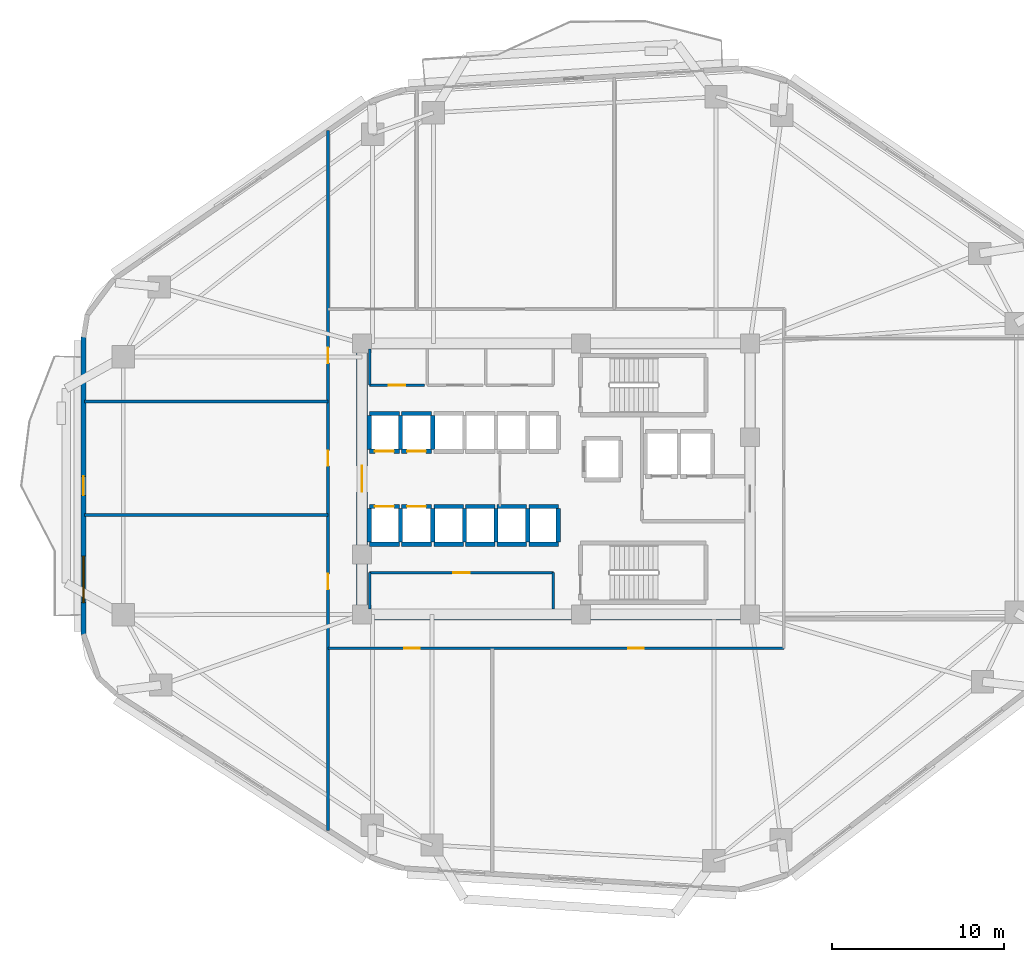
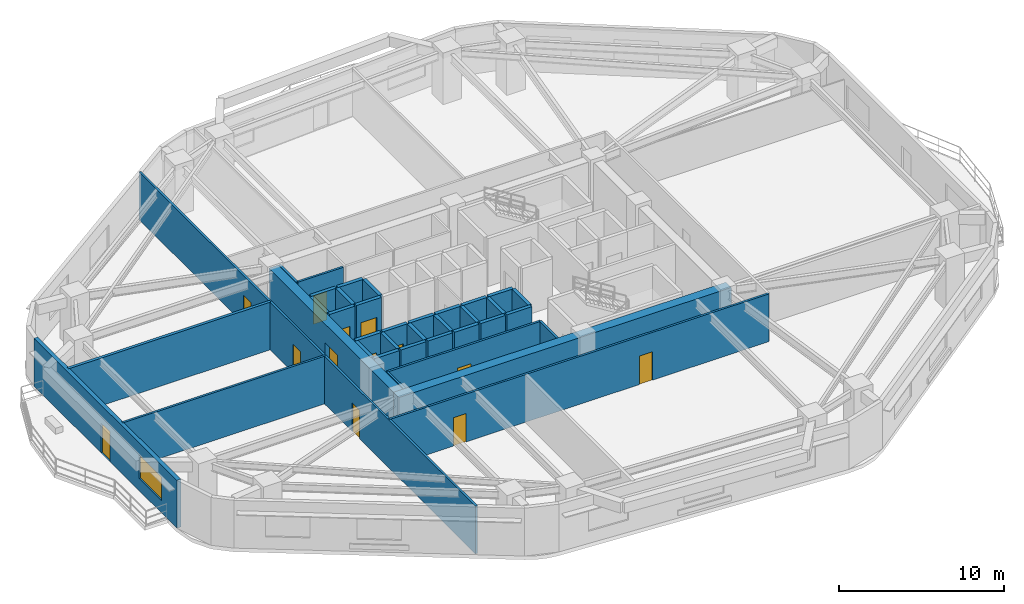
# One storey, part 3 of 9: 38 walls, 13 doors, 1 window, 14 openings.
"""IFC4 building model written with IfcOpenShell, lengths in metres."""

from ifc_helpers import new_model, si_unit, direction, frame, frame_2d, origin, place, context, subcontext, project, spatial, rectangle, extrude, material, layer, layer_set, type_object, element, fill, save


model = new_model("IFC4")

# Units and contexts
model_context = context("Model", 3, precision=1e-05, world=origin(), true_north=direction((0.0, 1.0)))
body_context = subcontext(model_context, "Body", "Model", "MODEL_VIEW")
ifc_project = project(units=[si_unit("LENGTHUNIT", "METRE"), si_unit("AREAUNIT", "SQUARE_METRE"), si_unit("VOLUMEUNIT", "CUBIC_METRE"), si_unit("PLANEANGLEUNIT", "RADIAN"), si_unit("MASSUNIT", "GRAM", prefix="KILO")], contexts=[model_context])

# Site, building, storey
site_placement = place(None, origin())
site = spatial("IfcSite", under=ifc_project, at=site_placement, CompositionType="ELEMENT")
building_placement = place(site_placement, origin())
building = spatial("IfcBuilding", under=site, at=building_placement, Name="Zulverin Broadcast Headquarters", CompositionType="ELEMENT")
storey_placement = place(building_placement, frame((0.0, 0.0, 82.0)))
storey = spatial("IfcBuildingStorey", under=building, at=storey_placement, Name="L20", CompositionType="ELEMENT", Elevation=82.0)

# Walls
ifc_material_1 = material(Name="Acoustic drywall steel stud", Category="steel")
ifc_layer_1 = layer(ifc_material_1, 0.199951171875, Name="Acoustic drywall steel stud", Category="steel")
ifc_layer_set_1 = layer_set([ifc_layer_1], Name="Acoustic drywall steel stud")
wall_type_1 = type_object("IfcWallType", Name="WL-ACOU-200", PredefinedType="PARTITIONING", material=ifc_layer_set_1)
wall_1_placement = place(storey_placement, frame((9.60498046875, 29.699951171875, 0.0), z_axis=(0.0, 0.0, 1.0), x_axis=(1.0, 0.0, 0.0)))
element("IfcWall", 1, at=wall_1_placement, inside=storey, type_object=wall_type_1, Name="L20 Room Partition Wall RP-09", PredefinedType="PARTITIONING", context=body_context, shape_type="SweptSolid", body=[
    extrude(rectangle(XDim=14.14501953125, YDim=0.199951171875, at=frame_2d((7.072509765625, 0.0))), origin(), (0.0, 0.0, 1.0), 3.52490234375),
])
ifc_material_2 = material(Name="Concrete C60/75", Category="concrete")
ifc_layer_2 = layer(ifc_material_2, 0.64990234375, Name="Concrete C60/75", Category="concrete")
ifc_layer_set_2 = layer_set([ifc_layer_2], Name="Concrete C60/75")
wall_type_2 = type_object("IfcWallType", Name="WL-CORE-650", PredefinedType="SHEAR", material=ifc_layer_set_2)
wall_2_placement = place(storey_placement, frame((25.39990234375, 17.324951171875, 0.0), z_axis=(0.0, 0.0, 1.0), x_axis=(1.0, 0.0, 0.0)))
element("IfcWall", 2, at=wall_2_placement, inside=storey, type_object=wall_type_2, Name="L20 Core South Shear Wall", PredefinedType="SHEAR", context=body_context, shape_type="SweptSolid", body=[
    extrude(rectangle(XDim=23.2001953125, YDim=0.64990234375, at=frame_2d((11.60009765625, 0.0))), origin(), (0.0, 0.0, 1.0), 3.52490234375),
])

# Wall, opening, door
wall_3_placement = place(storey_placement, frame((25.72509765625, 17.64990234375, 0.0), z_axis=(0.0, 0.0, 1.0), x_axis=(0.0, 1.0, 0.0)))
wall_3 = element("IfcWall", 3, at=wall_3_placement, inside=storey, type_object=wall_type_2, Name="L20 Core West Shear Wall", PredefinedType="SHEAR", context=body_context, shape_type="SweptSolid", body=[
    extrude(rectangle(XDim=15.10009765625, YDim=0.64990234375, at=frame_2d((7.550048828125, 0.0))), origin(), (0.0, 0.0, 1.0), 3.52490234375),
])
opening_1_placement = place(wall_3_placement, frame((6.800048828125, 0.0, 0.0)))
opening_1 = element("IfcOpeningElement", 4, at=opening_1_placement, cuts=wall_3, Name="Opening D-L20-CW1", PredefinedType="OPENING", context=body_context, shape_type="SweptSolid", body=[
    extrude(rectangle(XDim=1.5, YDim=2.14990234375, at=frame_2d((0.75, 1.074951171875))), frame((0.0, 0.3349609375, 0.0), z_axis=(0.0, -1.0, 0.0), x_axis=(1.0, 0.0, 0.0)), (0.0, 0.0, 1.0), 0.669921875),
])
ifc_material_3 = material(Name="Fire-rated glazed steel frame", Category="steel")
door_type_1 = type_object("IfcDoorType", Name="DR-COR-1500", OperationType="DOUBLE_DOOR_SINGLE_SWING", PredefinedType="DOOR", material=ifc_material_3)
door_1_placement = place(opening_1_placement, origin())
door_1 = element("IfcDoor", 5, at=door_1_placement, inside=storey, type_object=door_type_1, Name="L20 Central Lift Lobby West Portal Door", OperationType="DOUBLE_DOOR_SINGLE_SWING", OverallHeight=2.14990234375, OverallWidth=1.5, PredefinedType="DOOR", context=body_context, shape_type="SweptSolid", body=[
    extrude(rectangle(XDim=1.5, YDim=2.14990234375, at=frame_2d((0.75, 1.074951171875))), frame((0.0, 0.02490234375, 0.0), z_axis=(0.0, -1.0, 0.0), x_axis=(1.0, 0.0, 0.0)), (0.0, 0.0, 1.0), 0.050048828125),
])
fill(opening_1, door_1)

# Wall, openings, door, window
ifc_material_4 = material(Name="Insulated pale-metal clad concrete spandrel C40/50", Category="concrete")
ifc_layer_3 = layer(ifc_material_4, 0.280029296875, Name="Insulated pale-metal clad concrete spandrel C40/50", Category="concrete")
ifc_layer_set_3 = layer_set([ifc_layer_3], Name="Insulated pale-metal clad concrete spandrel C40/50")
wall_type_3 = type_object("IfcWallType", Name="WL-EXT-280", PredefinedType="STANDARD", material=ifc_layer_set_3)
wall_4_placement = place(storey_placement, frame((9.5400390625, 33.4443359375, 0.0), z_axis=(0.0, 0.0, 1.0), x_axis=(0.0, -1.0, 0.0)))
wall_4 = element("IfcWall", 6, at=wall_4_placement, inside=storey, type_object=wall_type_3, Name="L20 Pale-Metal Clad Spandrel Wall 7", PredefinedType="STANDARD", context=body_context, shape_type="SweptSolid", body=[
    extrude(rectangle(XDim=17.30078125, YDim=0.280029296875, at=frame_2d((8.650390625, 0.0))), origin(), (0.0, 0.0, 1.0), 3.52490234375),
])
opening_2_placement = place(wall_4_placement, frame((8.100341796875, 0.0, 0.0)))
opening_2 = element("IfcOpeningElement", 7, at=opening_2_placement, cuts=wall_4, Name="Opening D-L20-TR7", PredefinedType="OPENING", context=body_context, shape_type="SweptSolid", body=[
    extrude(rectangle(XDim=1.10009765625, YDim=2.199951171875, at=frame_2d((0.550048828125, 1.10009765625))), frame((0.0, 0.14990234375, 0.0), z_axis=(0.0, -1.0, 0.0), x_axis=(1.0, 0.0, 0.0)), (0.0, 0.0, 1.0), 0.300048828125),
])
opening_3_placement = place(wall_4_placement, frame((12.73388671875, 0.0, 0.89990234375)))
opening_3 = element("IfcOpeningElement", 8, at=opening_3_placement, cuts=wall_4, Name="Opening W-L20-E71", PredefinedType="OPENING", context=body_context, shape_type="SweptSolid", body=[
    extrude(rectangle(XDim=2.699951171875, YDim=1.75, at=frame_2d((1.35009765625, 0.875))), frame((0.0, 0.14990234375, 0.0), z_axis=(0.0, -1.0, 0.0), x_axis=(1.0, 0.0, 0.0)), (0.0, 0.0, 1.0), 0.300048828125),
])
ifc_material_5 = material(Name="Thermally broken aluminium glazed", Category="aluminium")
door_type_2 = type_object("IfcDoorType", Name="DR-TERR-1100", OperationType="SINGLE_SWING_RIGHT", PredefinedType="DOOR", material=ifc_material_5)
door_2_placement = place(opening_2_placement, origin())
door_2 = element("IfcDoor", 9, at=door_2_placement, inside=storey, type_object=door_type_2, Name="L20 Planted Terrace Glazed Access Door 7", OperationType="SINGLE_SWING_RIGHT", OverallHeight=2.199951171875, OverallWidth=1.10009765625, PredefinedType="DOOR", context=body_context, shape_type="SweptSolid", body=[
    extrude(rectangle(XDim=1.10009765625, YDim=2.199951171875, at=frame_2d((0.550048828125, 1.10009765625))), frame((0.0, 0.02490234375, 0.0), z_axis=(0.0, -1.0, 0.0), x_axis=(1.0, 0.0, 0.0)), (0.0, 0.0, 1.0), 0.050048828125),
])
fill(opening_2, door_2)
ifc_material_6 = material(Name="Pale anodized aluminium frame with solar-control low-E double glazing", Category="aluminium")
window_type = type_object("IfcWindowType", Name="WIN-TWR-2700", PartitioningType="SINGLE_PANEL", PredefinedType="WINDOW", material=ifc_material_6)
window_placement = place(opening_3_placement, origin())
window = element("IfcWindow", 10, at=window_placement, inside=storey, type_object=window_type, Name="L20 Ribbon Glazing Window 7 1", OverallHeight=1.75, OverallWidth=2.699951171875, PartitioningType="SINGLE_PANEL", PredefinedType="WINDOW", context=body_context, shape_type="SweptSolid", body=[
    extrude(rectangle(XDim=2.699951171875, YDim=1.75, at=frame_2d((1.35009765625, 0.875))), frame((0.0, 0.030029296875, 0.0), z_axis=(0.0, -1.0, 0.0), x_axis=(1.0, 0.0, 0.0)), (0.0, 0.0, 1.0), 0.06005859375),
])
fill(opening_3, window)

# Wall, opening, door
ifc_material_7 = material(Name="Fire-rated gypsum stud partition", Category="gypsum")
ifc_layer_4 = layer(ifc_material_7, 0.14990234375, Name="Fire-rated gypsum stud partition", Category="gypsum")
ifc_layer_set_4 = layer_set([ifc_layer_4], Name="Fire-rated gypsum stud partition")
wall_type_4 = type_object("IfcWallType", Name="WL-PART-150", PredefinedType="PARTITIONING", material=ifc_layer_set_4)
wall_5_placement = place(storey_placement, frame((26.169921875, 30.64990234375, 0.0), z_axis=(0.0, 0.0, 1.0), x_axis=(1.0, 0.0, 0.0)))
wall_5 = element("IfcWall", 11, at=wall_5_placement, inside=storey, type_object=wall_type_4, Name="L20 Core Accessible WC Front Wall", PredefinedType="PARTITIONING", context=body_context, shape_type="SweptSolid", body=[
    extrude(rectangle(XDim=3.2001953125, YDim=0.14990234375, at=frame_2d((1.60009765625, 0.0))), origin(), (0.0, 0.0, 1.0), 3.52490234375),
])
opening_4_placement = place(wall_5_placement, frame((1.125, 0.0, 0.0)))
opening_4 = element("IfcOpeningElement", 12, at=opening_4_placement, cuts=wall_5, Name="Opening D-L20-NC1", PredefinedType="OPENING", context=body_context, shape_type="SweptSolid", body=[
    extrude(rectangle(XDim=0.949951171875, YDim=2.10009765625, at=frame_2d((0.47509765625, 1.050048828125))), frame((0.0, 0.0849609375, 0.0), z_axis=(0.0, -1.0, 0.0), x_axis=(1.0, 0.0, 0.0)), (0.0, 0.0, 1.0), 0.169921875),
])
ifc_material_8 = material(Name="Fire-rated moisture-resistant laminate leaf", Category="wood")
door_type_3 = type_object("IfcDoorType", Name="DR-WC-950", OperationType="SINGLE_SWING_LEFT", PredefinedType="DOOR", material=ifc_material_8)
door_3_placement = place(opening_4_placement, origin())
door_3 = element("IfcDoor", 13, at=door_3_placement, inside=storey, type_object=door_type_3, Name="L20 Accessible WC Door", OperationType="SINGLE_SWING_LEFT", OverallHeight=2.10009765625, OverallWidth=0.949951171875, PredefinedType="DOOR", context=body_context, shape_type="SweptSolid", body=[
    extrude(rectangle(XDim=0.949951171875, YDim=2.10009765625, at=frame_2d((0.47509765625, 1.050048828125))), frame((0.0, 0.02490234375, 0.0), z_axis=(0.0, -1.0, 0.0), x_axis=(1.0, 0.0, 0.0)), (0.0, 0.0, 1.0), 0.050048828125),
])
fill(opening_4, door_3)

# Wall
wall_6_placement = place(storey_placement, frame((26.169921875, 30.64990234375, 0.0), z_axis=(0.0, 0.0, 1.0), x_axis=(0.0, 1.0, 0.0)))
element("IfcWall", 14, at=wall_6_placement, inside=storey, type_object=wall_type_4, Name="L20 Core Accessible WC West Wall", PredefinedType="PARTITIONING", context=body_context, shape_type="SweptSolid", body=[
    extrude(rectangle(XDim=2.10009765625, YDim=0.14990234375, at=frame_2d((1.050048828125, 0.0))), origin(), (0.0, 0.0, 1.0), 3.52490234375),
])

# Wall, opening, door
wall_7_placement = place(storey_placement, frame((26.169921875, 19.75, 0.0), z_axis=(0.0, 0.0, 1.0), x_axis=(1.0, 0.0, 0.0)))
wall_7 = element("IfcWall", 15, at=wall_7_placement, inside=storey, type_object=wall_type_4, Name="L20 Core Female WC & Facilities Room Front Wall", PredefinedType="PARTITIONING", context=body_context, shape_type="SweptSolid", body=[
    extrude(rectangle(XDim=10.68017578125, YDim=0.14990234375, at=frame_2d((5.340087890625, 0.0))), origin(), (0.0, 0.0, 1.0), 3.52490234375),
])
opening_5_placement = place(wall_7_placement, frame((4.864990234375, 0.0, 0.0)))
opening_5 = element("IfcOpeningElement", 16, at=opening_5_placement, cuts=wall_7, Name="Opening D-L20-SC1", PredefinedType="OPENING", context=body_context, shape_type="SweptSolid", body=[
    extrude(rectangle(XDim=0.949951171875, YDim=2.10009765625, at=frame_2d((0.47509765625, 1.050048828125))), frame((0.0, 0.0849609375, 0.0), z_axis=(0.0, -1.0, 0.0), x_axis=(1.0, 0.0, 0.0)), (0.0, 0.0, 1.0), 0.169921875),
])
door_4_placement = place(opening_5_placement, origin())
door_4 = element("IfcDoor", 17, at=door_4_placement, inside=storey, type_object=door_type_3, Name="L20 Female WC & Facilities Room Door", OperationType="SINGLE_SWING_RIGHT", OverallHeight=2.10009765625, OverallWidth=0.949951171875, PredefinedType="DOOR", context=body_context, shape_type="SweptSolid", body=[
    extrude(rectangle(XDim=0.949951171875, YDim=2.10009765625, at=frame_2d((0.47509765625, 1.050048828125))), frame((0.0, 0.02490234375, 0.0), z_axis=(0.0, -1.0, 0.0), x_axis=(1.0, 0.0, 0.0)), (0.0, 0.0, 1.0), 0.050048828125),
])
fill(opening_5, door_4)

# Walls
for number, where, z_axis, x_axis, name in (
    (18, (26.169921875, 17.64990234375, 0.0), (0.0, 0.0, 1.0), (0.0, 1.0, 0.0), "L20 Core Female WC & Facilities Room West Wall"),
    (19, (36.85009765625, 17.64990234375, 0.0), (0.0, 0.0, 1.0), (0.0, 1.0, 0.0), "L20 Core Female WC & Facilities Room East Wall"),
):
    element("IfcWall", number, at=place(storey_placement, frame(where, z_axis=z_axis, x_axis=x_axis)), inside=storey, type_object=wall_type_4, Name=name, PredefinedType="PARTITIONING", context=body_context, shape_type="SweptSolid", body=[
        extrude(rectangle(XDim=2.10009765625, YDim=0.14990234375, at=frame_2d((1.050048828125, 0.0))), origin(), (0.0, 0.0, 1.0), 3.52490234375),
    ])

# Wall, openings, doors
wall_8_placement = place(storey_placement, frame((23.75, 4.769287109375, 0.0), z_axis=(0.0, 0.0, 1.0), x_axis=(0.0, 1.0, 0.0)))
wall_8 = element("IfcWall", 20, at=wall_8_placement, inside=storey, type_object=wall_type_4, Name="L20 Gallery Partition Wall CG-05", PredefinedType="PARTITIONING", context=body_context, shape_type="SweptSolid", body=[
    extrude(rectangle(XDim=40.69091796875, YDim=0.14990234375, at=frame_2d((20.345458984375, 0.0))), origin(), (0.0, 0.0, 1.0), 3.52490234375),
])
opening_6_placement = place(wall_8_placement, frame((14.005615234375, 0.0, 0.0)))
opening_6 = element("IfcOpeningElement", 21, at=opening_6_placement, cuts=wall_8, Name="Opening D-L20-06", PredefinedType="OPENING", context=body_context, shape_type="SweptSolid", body=[
    extrude(rectangle(XDim=0.89990234375, YDim=2.10009765625, at=frame_2d((0.449951171875, 1.050048828125))), frame((0.0, 0.0849609375, 0.0), z_axis=(0.0, -1.0, 0.0), x_axis=(1.0, 0.0, 0.0)), (0.0, 0.0, 1.0), 0.169921875),
])
opening_7_placement = place(wall_8_placement, frame((21.1806640625, 0.0, 0.0)))
opening_7 = element("IfcOpeningElement", 22, at=opening_7_placement, cuts=wall_8, Name="Opening D-L20-07", PredefinedType="OPENING", context=body_context, shape_type="SweptSolid", body=[
    extrude(rectangle(XDim=0.89990234375, YDim=2.10009765625, at=frame_2d((0.449951171875, 1.050048828125))), frame((0.0, 0.0849609375, 0.0), z_axis=(0.0, -1.0, 0.0), x_axis=(1.0, 0.0, 0.0)), (0.0, 0.0, 1.0), 0.169921875),
])
opening_8_placement = place(wall_8_placement, frame((27.155517578125, 0.0, 0.0)))
opening_8 = element("IfcOpeningElement", 23, at=opening_8_placement, cuts=wall_8, Name="Opening D-L20-08", PredefinedType="OPENING", context=body_context, shape_type="SweptSolid", body=[
    extrude(rectangle(XDim=0.89990234375, YDim=2.10009765625, at=frame_2d((0.449951171875, 1.050048828125))), frame((0.0, 0.0849609375, 0.0), z_axis=(0.0, -1.0, 0.0), x_axis=(1.0, 0.0, 0.0)), (0.0, 0.0, 1.0), 0.169921875),
])
ifc_material_9 = material(Name="Fire-rated hardwood veneer timber leaf", Category="wood")
door_type_4 = type_object("IfcDoorType", Name="DR-ROOM-900", OperationType="SINGLE_SWING_RIGHT", PredefinedType="DOOR", material=ifc_material_9)
door_5_placement = place(opening_6_placement, origin())
door_5 = element("IfcDoor", 24, at=door_5_placement, inside=storey, type_object=door_type_4, Name="L20 Reference Library Door", OperationType="SINGLE_SWING_LEFT", OverallHeight=2.10009765625, OverallWidth=0.89990234375, PredefinedType="DOOR", context=body_context, shape_type="SweptSolid", body=[
    extrude(rectangle(XDim=0.89990234375, YDim=2.10009765625, at=frame_2d((0.449951171875, 1.050048828125))), frame((0.0, 0.02490234375, 0.0), z_axis=(0.0, -1.0, 0.0), x_axis=(1.0, 0.0, 0.0)), (0.0, 0.0, 1.0), 0.050048828125),
])
fill(opening_6, door_5)
door_6_placement = place(opening_7_placement, origin())
door_6 = element("IfcDoor", 25, at=door_6_placement, inside=storey, type_object=door_type_4, Name="L20 Staff Bistro Door", OperationType="SINGLE_SWING_RIGHT", OverallHeight=2.10009765625, OverallWidth=0.89990234375, PredefinedType="DOOR", context=body_context, shape_type="SweptSolid", body=[
    extrude(rectangle(XDim=0.89990234375, YDim=2.10009765625, at=frame_2d((0.449951171875, 1.050048828125))), frame((0.0, 0.02490234375, 0.0), z_axis=(0.0, -1.0, 0.0), x_axis=(1.0, 0.0, 0.0)), (0.0, 0.0, 1.0), 0.050048828125),
])
fill(opening_7, door_6)
door_7_placement = place(opening_8_placement, origin())
door_7 = element("IfcDoor", 26, at=door_7_placement, inside=storey, type_object=door_type_4, Name="L20 Tea Servery Door", OperationType="SINGLE_SWING_LEFT", OverallHeight=2.10009765625, OverallWidth=0.89990234375, PredefinedType="DOOR", context=body_context, shape_type="SweptSolid", body=[
    extrude(rectangle(XDim=0.89990234375, YDim=2.10009765625, at=frame_2d((0.449951171875, 1.050048828125))), frame((0.0, 0.02490234375, 0.0), z_axis=(0.0, -1.0, 0.0), x_axis=(1.0, 0.0, 0.0)), (0.0, 0.0, 1.0), 0.050048828125),
])
fill(opening_8, door_7)

wall_9_placement = place(storey_placement, frame((23.75, 15.35009765625, 0.0), z_axis=(0.0, 0.0, 1.0), x_axis=(1.0, 0.0, 0.0)))
wall_9 = element("IfcWall", 27, at=wall_9_placement, inside=storey, type_object=wall_type_4, Name="L20 Gallery Partition Wall CG-06", PredefinedType="PARTITIONING", context=body_context, shape_type="SweptSolid", body=[
    extrude(rectangle(XDim=26.5, YDim=0.14990234375, at=frame_2d((13.25, 0.0))), origin(), (0.0, 0.0, 1.0), 3.52490234375),
])
opening_9_placement = place(wall_9_placement, frame((4.445068359375, 0.0, 0.0)))
opening_9 = element("IfcOpeningElement", 28, at=opening_9_placement, cuts=wall_9, Name="Opening D-L20-04", PredefinedType="OPENING", context=body_context, shape_type="SweptSolid", body=[
    extrude(rectangle(XDim=0.89990234375, YDim=2.10009765625, at=frame_2d((0.449951171875, 1.050048828125))), frame((0.0, 0.0849609375, 0.0), z_axis=(0.0, -1.0, 0.0), x_axis=(1.0, 0.0, 0.0)), (0.0, 0.0, 1.0), 0.169921875),
])
opening_10_placement = place(wall_9_placement, frame((17.455078125, 0.0, 0.0)))
opening_10 = element("IfcOpeningElement", 29, at=opening_10_placement, cuts=wall_9, Name="Opening D-L20-05", PredefinedType="OPENING", context=body_context, shape_type="SweptSolid", body=[
    extrude(rectangle(XDim=0.89990234375, YDim=2.10009765625, at=frame_2d((0.449951171875, 1.050048828125))), frame((0.0, 0.0849609375, 0.0), z_axis=(0.0, -1.0, 0.0), x_axis=(1.0, 0.0, 0.0)), (0.0, 0.0, 1.0), 0.169921875),
])
door_8_placement = place(opening_9_placement, origin())
door_8 = element("IfcDoor", 30, at=door_8_placement, inside=storey, type_object=door_type_4, Name="L20 Media Screening Suite Door", OperationType="SINGLE_SWING_LEFT", OverallHeight=2.10009765625, OverallWidth=0.89990234375, PredefinedType="DOOR", context=body_context, shape_type="SweptSolid", body=[
    extrude(rectangle(XDim=0.89990234375, YDim=2.10009765625, at=frame_2d((0.449951171875, 1.050048828125))), frame((0.0, 0.02490234375, 0.0), z_axis=(0.0, -1.0, 0.0), x_axis=(1.0, 0.0, 0.0)), (0.0, 0.0, 1.0), 0.050048828125),
])
fill(opening_9, door_8)
door_9_placement = place(opening_10_placement, origin())
door_9 = element("IfcDoor", 31, at=door_9_placement, inside=storey, type_object=door_type_4, Name="L20 Media Reading Library Door", OperationType="SINGLE_SWING_RIGHT", OverallHeight=2.10009765625, OverallWidth=0.89990234375, PredefinedType="DOOR", context=body_context, shape_type="SweptSolid", body=[
    extrude(rectangle(XDim=0.89990234375, YDim=2.10009765625, at=frame_2d((0.449951171875, 1.050048828125))), frame((0.0, 0.02490234375, 0.0), z_axis=(0.0, -1.0, 0.0), x_axis=(1.0, 0.0, 0.0)), (0.0, 0.0, 1.0), 0.050048828125),
])
fill(opening_10, door_9)

# Wall
wall_10_placement = place(storey_placement, frame((9.60498046875, 23.10009765625, 0.0), z_axis=(0.0, 0.0, 1.0), x_axis=(1.0, 0.0, 0.0)))
element("IfcWall", 32, at=wall_10_placement, inside=storey, type_object=wall_type_4, Name="L20 Room Partition Wall RP-08", PredefinedType="PARTITIONING", context=body_context, shape_type="SweptSolid", body=[
    extrude(rectangle(XDim=14.14404296875, YDim=0.14990234375, at=frame_2d((7.072021484375, 0.0))), origin(), (0.0, 0.0, 1.0), 3.52490234375),
])

# Wall, opening, door
ifc_material_10 = material(Name="Concrete C50/60", Category="concrete")
ifc_layer_5 = layer(ifc_material_10, 0.25, Name="Concrete C50/60", Category="concrete")
ifc_layer_set_5 = layer_set([ifc_layer_5], Name="Concrete C50/60")
wall_type_5 = type_object("IfcWallType", Name="WL-SHAFT-250", PredefinedType="SHEAR", material=ifc_layer_set_5)
wall_11_placement = place(storey_placement, frame((26.14990234375, 26.800048828125, 0.0), z_axis=(0.0, 0.0, 1.0), x_axis=(1.0, 0.0, 0.0)))
wall_11 = element("IfcWall", 33, at=wall_11_placement, inside=storey, type_object=wall_type_5, Name="L20 Lift PL-L1 Shaft Wall S", PredefinedType="SHEAR", context=body_context, shape_type="SweptSolid", body=[
    extrude(rectangle(XDim=1.75, YDim=0.25, at=frame_2d((0.875, 0.0))), origin(), (0.0, 0.0, 1.0), 3.52490234375),
])
opening_11_placement = place(wall_11_placement, frame((0.324951171875, 0.0, 0.0)))
opening_11 = element("IfcOpeningElement", 34, at=opening_11_placement, cuts=wall_11, Name="Opening LD-PL-L1-L20", PredefinedType="OPENING", context=body_context, shape_type="SweptSolid", body=[
    extrude(rectangle(XDim=1.10009765625, YDim=2.14990234375, at=frame_2d((0.550048828125, 1.074951171875))), frame((0.0, 0.135009765625, 0.0), z_axis=(0.0, -1.0, 0.0), x_axis=(1.0, 0.0, 0.0)), (0.0, 0.0, 1.0), 0.27001953125),
])
ifc_material_11 = material(Name="Brushed stainless steel landing", Category="steel")
door_type_5 = type_object("IfcDoorType", Name="LD-PASS-1100", OperationType="DOUBLE_DOOR_SLIDING", PredefinedType="DOOR", material=ifc_material_11)
door_10_placement = place(opening_11_placement, origin())
door_10 = element("IfcDoor", 35, at=door_10_placement, inside=storey, type_object=door_type_5, Name="L20 Lift PL-L1 Sliding Landing Door", OperationType="DOUBLE_DOOR_SLIDING", OverallHeight=2.14990234375, OverallWidth=1.10009765625, PredefinedType="DOOR", context=body_context, shape_type="SweptSolid", body=[
    extrude(rectangle(XDim=1.10009765625, YDim=2.14990234375, at=frame_2d((0.550048828125, 1.074951171875))), frame((0.0, 0.02490234375, 0.0), z_axis=(0.0, -1.0, 0.0), x_axis=(1.0, 0.0, 0.0)), (0.0, 0.0, 1.0), 0.050048828125),
])
fill(opening_11, door_10)

# Walls
wall_12_placement = place(storey_placement, frame((26.14990234375, 29.0, 0.0), z_axis=(0.0, 0.0, 1.0), x_axis=(1.0, 0.0, 0.0)))
element("IfcWall", 36, at=wall_12_placement, inside=storey, type_object=wall_type_5, Name="L20 Lift PL-L1 Shaft Wall N", PredefinedType="SHEAR", context=body_context, shape_type="SweptSolid", body=[
    extrude(rectangle(XDim=1.75, YDim=0.25, at=frame_2d((0.875, 0.0))), origin(), (0.0, 0.0, 1.0), 3.52490234375),
])
for number, where, z_axis, x_axis, name in (
    (37, (26.14990234375, 26.919921875, 0.0), (0.0, 0.0, 1.0), (0.0, 1.0, 0.0), "L20 Lift PL-L1 Shaft Wall W"),
    (38, (27.9599609375, 26.919921875, 0.0), (0.0, 0.0, 1.0), (0.0, 1.0, 0.0), "L20 Lift PL-L1 Shaft Wall E"),
):
    element("IfcWall", number, at=place(storey_placement, frame(where, z_axis=z_axis, x_axis=x_axis)), inside=storey, type_object=wall_type_5, Name=name, PredefinedType="SHEAR", context=body_context, shape_type="SweptSolid", body=[
        extrude(rectangle(XDim=1.9599609375, YDim=0.25, at=frame_2d((0.97998046875, 0.0))), origin(), (0.0, 0.0, 1.0), 3.52490234375),
    ])

# Wall, opening, door
wall_13_placement = place(storey_placement, frame((28.02001953125, 26.800048828125, 0.0), z_axis=(0.0, 0.0, 1.0), x_axis=(1.0, 0.0, 0.0)))
wall_13 = element("IfcWall", 39, at=wall_13_placement, inside=storey, type_object=wall_type_5, Name="L20 Lift PL-L2 Shaft Wall S", PredefinedType="SHEAR", context=body_context, shape_type="SweptSolid", body=[
    extrude(rectangle(XDim=1.75, YDim=0.25, at=frame_2d((0.875, 0.0))), origin(), (0.0, 0.0, 1.0), 3.52490234375),
])
opening_12_placement = place(wall_13_placement, frame((0.324951171875, 0.0, 0.0)))
opening_12 = element("IfcOpeningElement", 40, at=opening_12_placement, cuts=wall_13, Name="Opening LD-PL-L2-L20", PredefinedType="OPENING", context=body_context, shape_type="SweptSolid", body=[
    extrude(rectangle(XDim=1.10009765625, YDim=2.14990234375, at=frame_2d((0.550048828125, 1.074951171875))), frame((0.0, 0.135009765625, 0.0), z_axis=(0.0, -1.0, 0.0), x_axis=(1.0, 0.0, 0.0)), (0.0, 0.0, 1.0), 0.27001953125),
])
door_11_placement = place(opening_12_placement, origin())
door_11 = element("IfcDoor", 41, at=door_11_placement, inside=storey, type_object=door_type_5, Name="L20 Lift PL-L2 Sliding Landing Door", OperationType="DOUBLE_DOOR_SLIDING", OverallHeight=2.14990234375, OverallWidth=1.10009765625, PredefinedType="DOOR", context=body_context, shape_type="SweptSolid", body=[
    extrude(rectangle(XDim=1.10009765625, YDim=2.14990234375, at=frame_2d((0.550048828125, 1.074951171875))), frame((0.0, 0.02490234375, 0.0), z_axis=(0.0, -1.0, 0.0), x_axis=(1.0, 0.0, 0.0)), (0.0, 0.0, 1.0), 0.050048828125),
])
fill(opening_12, door_11)

# Walls
wall_14_placement = place(storey_placement, frame((28.02001953125, 29.0, 0.0), z_axis=(0.0, 0.0, 1.0), x_axis=(1.0, 0.0, 0.0)))
element("IfcWall", 42, at=wall_14_placement, inside=storey, type_object=wall_type_5, Name="L20 Lift PL-L2 Shaft Wall N", PredefinedType="SHEAR", context=body_context, shape_type="SweptSolid", body=[
    extrude(rectangle(XDim=1.75, YDim=0.25, at=frame_2d((0.875, 0.0))), origin(), (0.0, 0.0, 1.0), 3.52490234375),
])
wall_15_placement = place(storey_placement, frame((29.8349609375, 26.919921875, 0.0), z_axis=(0.0, 0.0, 1.0), x_axis=(0.0, 1.0, 0.0)))
element("IfcWall", 43, at=wall_15_placement, inside=storey, type_object=wall_type_5, Name="L20 Lift PL-L2 Shaft Wall E", PredefinedType="SHEAR", context=body_context, shape_type="SweptSolid", body=[
    extrude(rectangle(XDim=1.9599609375, YDim=0.25, at=frame_2d((0.97998046875, 0.0))), origin(), (0.0, 0.0, 1.0), 3.52490234375),
])
wall_16_placement = place(storey_placement, frame((26.14990234375, 21.39990234375, 0.0), z_axis=(0.0, 0.0, 1.0), x_axis=(1.0, 0.0, 0.0)))
element("IfcWall", 44, at=wall_16_placement, inside=storey, type_object=wall_type_5, Name="L20 Lift PL-L3 Shaft Wall S", PredefinedType="SHEAR", context=body_context, shape_type="SweptSolid", body=[
    extrude(rectangle(XDim=1.75, YDim=0.25, at=frame_2d((0.875, 0.0))), origin(), (0.0, 0.0, 1.0), 3.52490234375),
])

# Wall, opening, door
wall_17_placement = place(storey_placement, frame((26.14990234375, 23.60009765625, 0.0), z_axis=(0.0, 0.0, 1.0), x_axis=(1.0, 0.0, 0.0)))
wall_17 = element("IfcWall", 45, at=wall_17_placement, inside=storey, type_object=wall_type_5, Name="L20 Lift PL-L3 Shaft Wall N", PredefinedType="SHEAR", context=body_context, shape_type="SweptSolid", body=[
    extrude(rectangle(XDim=1.75, YDim=0.25, at=frame_2d((0.875, 0.0))), origin(), (0.0, 0.0, 1.0), 3.52490234375),
])
opening_13_placement = place(wall_17_placement, frame((0.324951171875, 0.0, 0.0)))
opening_13 = element("IfcOpeningElement", 46, at=opening_13_placement, cuts=wall_17, Name="Opening LD-PL-L3-L20", PredefinedType="OPENING", context=body_context, shape_type="SweptSolid", body=[
    extrude(rectangle(XDim=1.10009765625, YDim=2.14990234375, at=frame_2d((0.550048828125, 1.074951171875))), frame((0.0, 0.135009765625, 0.0), z_axis=(0.0, -1.0, 0.0), x_axis=(1.0, 0.0, 0.0)), (0.0, 0.0, 1.0), 0.27001953125),
])
door_12_placement = place(opening_13_placement, origin())
door_12 = element("IfcDoor", 47, at=door_12_placement, inside=storey, type_object=door_type_5, Name="L20 Lift PL-L3 Sliding Landing Door", OperationType="DOUBLE_DOOR_SLIDING", OverallHeight=2.14990234375, OverallWidth=1.10009765625, PredefinedType="DOOR", context=body_context, shape_type="SweptSolid", body=[
    extrude(rectangle(XDim=1.10009765625, YDim=2.14990234375, at=frame_2d((0.550048828125, 1.074951171875))), frame((0.0, 0.02490234375, 0.0), z_axis=(0.0, -1.0, 0.0), x_axis=(1.0, 0.0, 0.0)), (0.0, 0.0, 1.0), 0.050048828125),
])
fill(opening_13, door_12)

# Walls
for number, where, z_axis, x_axis, name in (
    (48, (26.14990234375, 21.52001953125, 0.0), (0.0, 0.0, 1.0), (0.0, 1.0, 0.0), "L20 Lift PL-L3 Shaft Wall W"),
    (49, (27.9599609375, 21.52001953125, 0.0), (0.0, 0.0, 1.0), (0.0, 1.0, 0.0), "L20 Lift PL-L3 Shaft Wall E"),
):
    element("IfcWall", number, at=place(storey_placement, frame(where, z_axis=z_axis, x_axis=x_axis)), inside=storey, type_object=wall_type_5, Name=name, PredefinedType="SHEAR", context=body_context, shape_type="SweptSolid", body=[
        extrude(rectangle(XDim=1.9599609375, YDim=0.25, at=frame_2d((0.97998046875, 0.0))), origin(), (0.0, 0.0, 1.0), 3.52490234375),
    ])
wall_18_placement = place(storey_placement, frame((28.02001953125, 21.39990234375, 0.0), z_axis=(0.0, 0.0, 1.0), x_axis=(1.0, 0.0, 0.0)))
element("IfcWall", 50, at=wall_18_placement, inside=storey, type_object=wall_type_5, Name="L20 Lift PL-L4 Shaft Wall S", PredefinedType="SHEAR", context=body_context, shape_type="SweptSolid", body=[
    extrude(rectangle(XDim=1.75, YDim=0.25, at=frame_2d((0.875, 0.0))), origin(), (0.0, 0.0, 1.0), 3.52490234375),
])

# Wall, opening, door
wall_19_placement = place(storey_placement, frame((28.02001953125, 23.60009765625, 0.0), z_axis=(0.0, 0.0, 1.0), x_axis=(1.0, 0.0, 0.0)))
wall_19 = element("IfcWall", 51, at=wall_19_placement, inside=storey, type_object=wall_type_5, Name="L20 Lift PL-L4 Shaft Wall N", PredefinedType="SHEAR", context=body_context, shape_type="SweptSolid", body=[
    extrude(rectangle(XDim=1.75, YDim=0.25, at=frame_2d((0.875, 0.0))), origin(), (0.0, 0.0, 1.0), 3.52490234375),
])
opening_14_placement = place(wall_19_placement, frame((0.324951171875, 0.0, 0.0)))
opening_14 = element("IfcOpeningElement", 52, at=opening_14_placement, cuts=wall_19, Name="Opening LD-PL-L4-L20", PredefinedType="OPENING", context=body_context, shape_type="SweptSolid", body=[
    extrude(rectangle(XDim=1.10009765625, YDim=2.14990234375, at=frame_2d((0.550048828125, 1.074951171875))), frame((0.0, 0.135009765625, 0.0), z_axis=(0.0, -1.0, 0.0), x_axis=(1.0, 0.0, 0.0)), (0.0, 0.0, 1.0), 0.27001953125),
])
door_13_placement = place(opening_14_placement, origin())
door_13 = element("IfcDoor", 53, at=door_13_placement, inside=storey, type_object=door_type_5, Name="L20 Lift PL-L4 Sliding Landing Door", OperationType="DOUBLE_DOOR_SLIDING", OverallHeight=2.14990234375, OverallWidth=1.10009765625, PredefinedType="DOOR", context=body_context, shape_type="SweptSolid", body=[
    extrude(rectangle(XDim=1.10009765625, YDim=2.14990234375, at=frame_2d((0.550048828125, 1.074951171875))), frame((0.0, 0.02490234375, 0.0), z_axis=(0.0, -1.0, 0.0), x_axis=(1.0, 0.0, 0.0)), (0.0, 0.0, 1.0), 0.050048828125),
])
fill(opening_14, door_13)

# Walls
wall_20_placement = place(storey_placement, frame((29.8349609375, 21.52001953125, 0.0), z_axis=(0.0, 0.0, 1.0), x_axis=(0.0, 1.0, 0.0)))
element("IfcWall", 54, at=wall_20_placement, inside=storey, type_object=wall_type_5, Name="L20 Lift PL-L4 Shaft Wall E", PredefinedType="SHEAR", context=body_context, shape_type="SweptSolid", body=[
    extrude(rectangle(XDim=1.9599609375, YDim=0.25, at=frame_2d((0.97998046875, 0.0))), origin(), (0.0, 0.0, 1.0), 3.52490234375),
])
for number, where, z_axis, x_axis, name in (
    (55, (29.89990234375, 21.39990234375, 0.0), (0.0, 0.0, 1.0), (1.0, 0.0, 0.0), "L20 Lift PL-M1 Shaft Wall S"),
    (56, (29.89990234375, 23.60009765625, 0.0), (0.0, 0.0, 1.0), (1.0, 0.0, 0.0), "L20 Lift PL-M1 Shaft Wall N"),
):
    element("IfcWall", number, at=place(storey_placement, frame(where, z_axis=z_axis, x_axis=x_axis)), inside=storey, type_object=wall_type_5, Name=name, PredefinedType="SHEAR", context=body_context, shape_type="SweptSolid", body=[
        extrude(rectangle(XDim=1.72021484375, YDim=0.25, at=frame_2d((0.860107421875, 0.0))), origin(), (0.0, 0.0, 1.0), 3.52490234375),
    ])
wall_21_placement = place(storey_placement, frame((31.679931640625, 21.52001953125, 0.0), z_axis=(0.0, 0.0, 1.0), x_axis=(0.0, 1.0, 0.0)))
element("IfcWall", 57, at=wall_21_placement, inside=storey, type_object=wall_type_5, Name="L20 Lift PL-M1 Shaft Wall E", PredefinedType="SHEAR", context=body_context, shape_type="SweptSolid", body=[
    extrude(rectangle(XDim=1.9599609375, YDim=0.25, at=frame_2d((0.97998046875, 0.0))), origin(), (0.0, 0.0, 1.0), 3.52490234375),
])
for number, where, z_axis, x_axis, name in (
    (58, (31.739990234375, 21.39990234375, 0.0), (0.0, 0.0, 1.0), (1.0, 0.0, 0.0), "L20 Lift PL-M2 Shaft Wall S"),
    (59, (31.739990234375, 23.60009765625, 0.0), (0.0, 0.0, 1.0), (1.0, 0.0, 0.0), "L20 Lift PL-M2 Shaft Wall N"),
):
    element("IfcWall", number, at=place(storey_placement, frame(where, z_axis=z_axis, x_axis=x_axis)), inside=storey, type_object=wall_type_5, Name=name, PredefinedType="SHEAR", context=body_context, shape_type="SweptSolid", body=[
        extrude(rectangle(XDim=1.719970703125, YDim=0.25, at=frame_2d((0.85986328125, 0.0))), origin(), (0.0, 0.0, 1.0), 3.52490234375),
    ])
wall_22_placement = place(storey_placement, frame((33.52001953125, 21.52001953125, 0.0), z_axis=(0.0, 0.0, 1.0), x_axis=(0.0, 1.0, 0.0)))
element("IfcWall", 60, at=wall_22_placement, inside=storey, type_object=wall_type_5, Name="L20 Lift PL-M2 Shaft Wall E", PredefinedType="SHEAR", context=body_context, shape_type="SweptSolid", body=[
    extrude(rectangle(XDim=1.9599609375, YDim=0.25, at=frame_2d((0.97998046875, 0.0))), origin(), (0.0, 0.0, 1.0), 3.52490234375),
])
for number, where, z_axis, x_axis, name in (
    (61, (33.580078125, 21.39990234375, 0.0), (0.0, 0.0, 1.0), (1.0, 0.0, 0.0), "L20 Lift PL-M3 Shaft Wall S"),
    (62, (33.580078125, 23.60009765625, 0.0), (0.0, 0.0, 1.0), (1.0, 0.0, 0.0), "L20 Lift PL-M3 Shaft Wall N"),
):
    element("IfcWall", number, at=place(storey_placement, frame(where, z_axis=z_axis, x_axis=x_axis)), inside=storey, type_object=wall_type_5, Name=name, PredefinedType="SHEAR", context=body_context, shape_type="SweptSolid", body=[
        extrude(rectangle(XDim=1.719970703125, YDim=0.25, at=frame_2d((0.85986328125, 0.0))), origin(), (0.0, 0.0, 1.0), 3.52490234375),
    ])
wall_23_placement = place(storey_placement, frame((35.360107421875, 21.52001953125, 0.0), z_axis=(0.0, 0.0, 1.0), x_axis=(0.0, 1.0, 0.0)))
element("IfcWall", 63, at=wall_23_placement, inside=storey, type_object=wall_type_5, Name="L20 Lift PL-M3 Shaft Wall E", PredefinedType="SHEAR", context=body_context, shape_type="SweptSolid", body=[
    extrude(rectangle(XDim=1.9599609375, YDim=0.25, at=frame_2d((0.97998046875, 0.0))), origin(), (0.0, 0.0, 1.0), 3.52490234375),
])
for number, where, z_axis, x_axis, name in (
    (64, (35.419921875, 21.39990234375, 0.0), (0.0, 0.0, 1.0), (1.0, 0.0, 0.0), "L20 Lift PL-M4 Shaft Wall S"),
    (65, (35.419921875, 23.60009765625, 0.0), (0.0, 0.0, 1.0), (1.0, 0.0, 0.0), "L20 Lift PL-M4 Shaft Wall N"),
):
    element("IfcWall", number, at=place(storey_placement, frame(where, z_axis=z_axis, x_axis=x_axis)), inside=storey, type_object=wall_type_5, Name=name, PredefinedType="SHEAR", context=body_context, shape_type="SweptSolid", body=[
        extrude(rectangle(XDim=1.719970703125, YDim=0.25, at=frame_2d((0.85986328125, 0.0))), origin(), (0.0, 0.0, 1.0), 3.52490234375),
    ])
wall_24_placement = place(storey_placement, frame((37.139892578125, 21.52001953125, 0.0), z_axis=(0.0, 0.0, 1.0), x_axis=(0.0, 1.0, 0.0)))
element("IfcWall", 66, at=wall_24_placement, inside=storey, type_object=wall_type_5, Name="L20 Lift PL-M4 Shaft Wall E", PredefinedType="SHEAR", context=body_context, shape_type="SweptSolid", body=[
    extrude(rectangle(XDim=1.9599609375, YDim=0.25, at=frame_2d((0.97998046875, 0.0))), origin(), (0.0, 0.0, 1.0), 3.52490234375),
])

save(model, "model.ifc")
